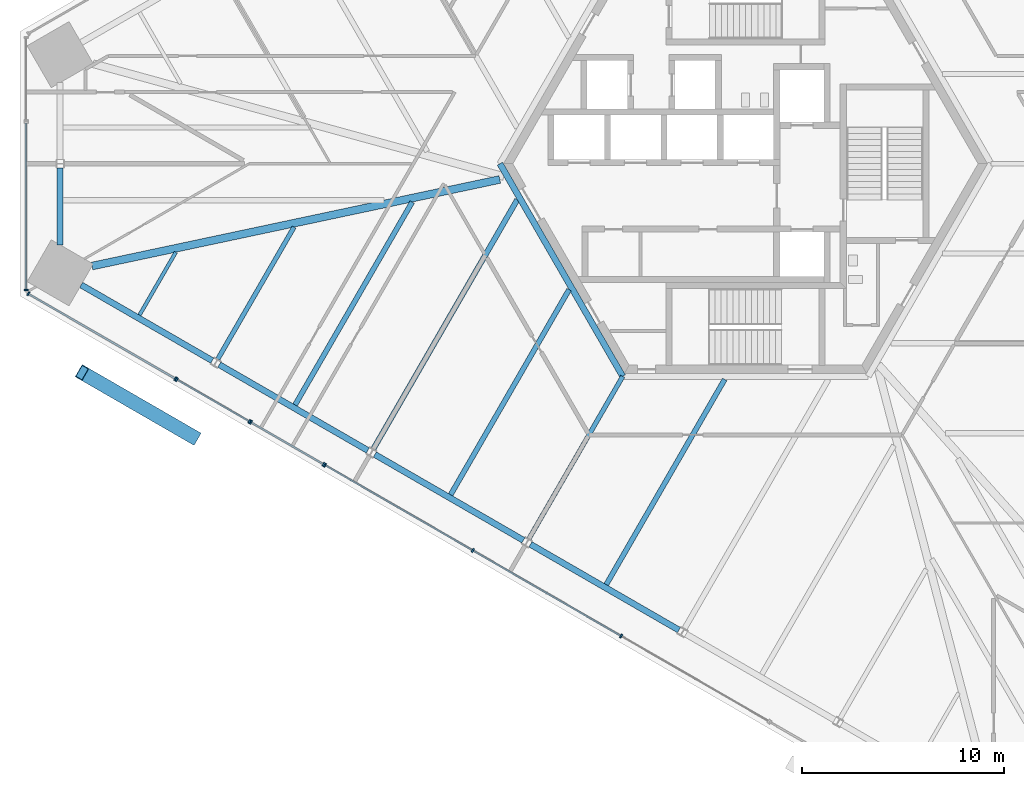
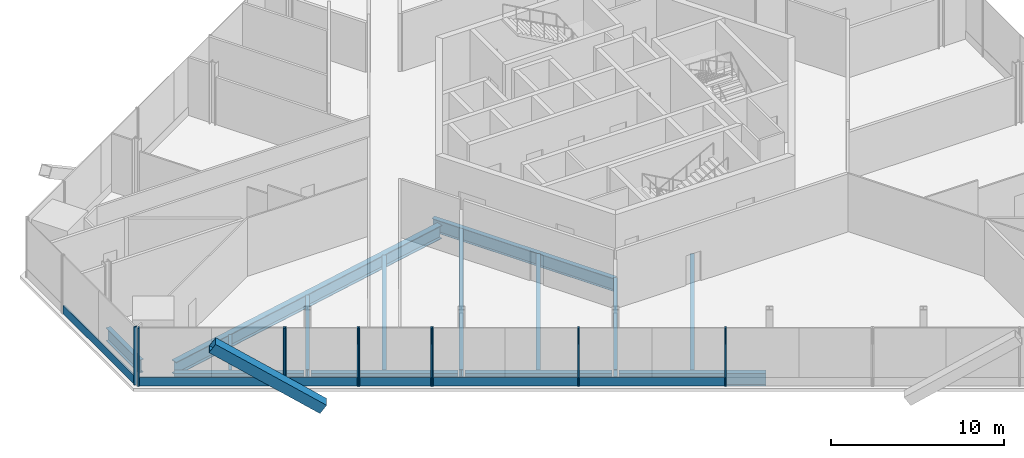
# One storey, part 3 of 17: 17 members, 14 beams, 5 elements without a shape of their own.
"""IFC4 building model written with IfcOpenShell, lengths in metres."""

from ifc_helpers import new_model, si_unit, direction, frame, origin, origin_2d, place, context, subcontext, project, spatial, rectangle, hollow_rectangle, i_section, extrude, source, transform, mapped, material, material_profile, profile_set, type_object, element, aggregate, save


model = new_model("IFC4")

# Units and contexts
model_context = context("Model", 3, precision=1e-05, world=origin(), true_north=direction((0.0, 1.0)))
body_context = subcontext(model_context, "Body", "Model", "MODEL_VIEW")
ifc_project = project(units=[si_unit("LENGTHUNIT", "METRE"), si_unit("AREAUNIT", "SQUARE_METRE"), si_unit("VOLUMEUNIT", "CUBIC_METRE"), si_unit("PLANEANGLEUNIT", "RADIAN"), si_unit("MASSUNIT", "GRAM", prefix="KILO")], contexts=[model_context])

# Site, building, storey
site_placement = place(None, origin())
site = spatial("IfcSite", under=ifc_project, at=site_placement, CompositionType="ELEMENT")
building_placement = place(site_placement, origin())
building = spatial("IfcBuilding", under=site, at=building_placement, Name="Triune Harvest Tower", CompositionType="ELEMENT")
storey_placement = place(building_placement, frame((0.0, 0.0, 46.10009765625)))
storey = spatial("IfcBuildingStorey", under=building, at=storey_placement, Name="L10", CompositionType="ELEMENT", Elevation=46.10009765625)

# Curtain wall, member
ifc_material_1 = material(Name="Aluminium bronze anodised", Category="aluminium")
curtain_wall_type_1 = type_object("IfcCurtainWallType", Name="CW-8 Farm floor curtain wall with insulated spandrel infill", PredefinedType="NOTDEFINED", material=ifc_material_1)
curtain_wall_1_placement = place(storey_placement, origin())
curtain_wall_1 = element("IfcCurtainWall", 1, at=curtain_wall_1_placement, inside=storey, type_object=curtain_wall_type_1, Name="CW-8 B1-F5 L10 run 2001")
ifc_material_2 = material(Name="Aluminium bronze anodised", Category="aluminium")
ifc_material_profile_1 = material_profile(ifc_material_2, rectangle(XDim=0.090087890625, YDim=0.60009765625, at=origin_2d()), Name="TR-3 transom 90 x 600")
ifc_profile_set_1 = profile_set([ifc_material_profile_1], Name="Aluminium bronze anodised")
member_type_1 = type_object("IfcMemberType", Name="TR-3 transom 90 x 600", PredefinedType="USERDEFINED", material=ifc_profile_set_1)
member_1_placement = place(storey_placement, frame((-24.49462890625, -12.844970703125, 0.2998046875), z_axis=(0.866007587134, -0.500030858075, 0.0), x_axis=(0.500030858075, 0.866007587134, 0.0)))
member_1 = element("IfcMember", 2, at=member_1_placement, type_object=member_type_1, Name="CW-8 transom B1-F5 2001.1", ObjectType="TRANSOM", PredefinedType="USERDEFINED", context=body_context, shape_type="SweptSolid", body=[
    extrude(rectangle(XDim=0.090087890625, YDim=0.60009765625, at=origin_2d()), origin(), (0.0, 0.0, 1.0), 4.088623046875),
])

# Beams
ifc_material_3 = material(Name="Steel ASTM A992 Gr 50", Category="steel")
ifc_material_profile_2 = material_profile(ifc_material_3, i_section(OverallWidth=0.3046875, OverallDepth=0.914306640625, WebThickness=0.0166015625, FlangeThickness=0.02587890625, at=origin_2d()), Name="W36x160")
ifc_profile_set_2 = profile_set([ifc_material_profile_2], Name="Steel ASTM A992 Gr 50")
beam_type_1 = type_object("IfcBeamType", Name="CG-1 Core ring girder W36x160", PredefinedType="BEAM", material=ifc_profile_set_2)
shared_shape_1 = source(origin(), body_context, "Body", "SweptSolid", [
    extrude(i_section(OverallWidth=0.3046875, OverallDepth=0.914306640625, WebThickness=0.0166015625, FlangeThickness=0.02587890625, at=origin_2d()), origin(), (0.0, 0.0, 1.0), 12.176025390625),
])
beam_1_placement = place(storey_placement, frame((-12.176025390625, 0.0, -0.6572265625), z_axis=(0.5000099932, -0.866019634131, 0.0), x_axis=(0.866019634131, 0.5000099932, 0.0)))
element("IfcBeam", 3, at=beam_1_placement, inside=storey, type_object=beam_type_1, Name="beam/L10/CG4", PredefinedType="BEAM", context=body_context, shape_type="MappedRepresentation", body=[
    mapped(shared_shape_1, transform((0.0, 0.0, 0.0), scale=1.0)),
])
ifc_material_4 = material(Name="Steel ASTM A992 Gr 50", Category="steel")
ifc_material_profile_3 = material_profile(ifc_material_4, i_section(OverallWidth=0.383544921875, OverallDepth=0.9423828125, WebThickness=0.022216796875, FlangeThickness=0.039794921875, at=origin_2d()), Name="W36x232")
ifc_profile_set_3 = profile_set([ifc_material_profile_3], Name="Steel ASTM A992 Gr 50")
beam_type_2 = type_object("IfcBeamType", Name="HG-1 Hip girder W36x232", PredefinedType="BEAM", material=ifc_profile_set_3)
shared_shape_2 = source(origin(), body_context, "Body", "SweptSolid", [
    extrude(i_section(OverallWidth=0.383544921875, OverallDepth=0.9423828125, WebThickness=0.022216796875, FlangeThickness=0.039794921875, at=origin_2d()), origin(), (0.0, 0.0, 1.0), 20.676025390625),
])
beam_2_placement = place(storey_placement, frame((-32.4091796875, -5.07470703125, -0.67138671875), z_axis=(0.978185071399, 0.207735327022, 0.0), x_axis=(-0.207735327022, 0.978185071399, 0.0)))
element("IfcBeam", 4, at=beam_2_placement, inside=storey, type_object=beam_type_2, Name="beam/L10/HG5", PredefinedType="BEAM", context=body_context, shape_type="MappedRepresentation", body=[
    mapped(shared_shape_2, transform((0.0, 0.0, 0.0), scale=1.0)),
])
ifc_material_5 = material(Name="Steel ASTM A992 Gr 50", Category="steel")
ifc_material_profile_4 = material_profile(ifc_material_5, i_section(OverallWidth=0.22900390625, OverallDepth=0.612060546875, WebThickness=0.011962890625, FlangeThickness=0.01953125, at=origin_2d()), Name="W24x84")
ifc_profile_set_4 = profile_set([ifc_material_profile_4], Name="Steel ASTM A992 Gr 50")
beam_type_3 = type_object("IfcBeamType", Name="JT-3 Floor joist W24x84", PredefinedType="JOIST", material=ifc_profile_set_4)
shared_shape_3 = source(origin(), body_context, "Body", "SweptSolid", [
    extrude(i_section(OverallWidth=0.22900390625, OverallDepth=0.612060546875, WebThickness=0.011962890625, FlangeThickness=0.01953125, at=origin_2d()), origin(), (0.0, 0.0, 1.0), 7.558349609375),
])
beam_3_placement = place(storey_placement, frame((-26.170654296875, -9.68896484375, -0.506103515625), z_axis=(0.499991809969, 0.866030132249, 0.0), x_axis=(-0.866030132249, 0.499991809969, 0.0)))
element("IfcBeam", 5, at=beam_3_placement, inside=storey, type_object=beam_type_3, Name="beam/L10/JT28", PredefinedType="JOIST", context=body_context, shape_type="MappedRepresentation", body=[
    mapped(shared_shape_3, transform((0.0, 0.0, 0.0), scale=1.0)),
])
ifc_material_6 = material(Name="Steel ASTM A992 Gr 50", Category="steel")
ifc_material_profile_5 = material_profile(ifc_material_6, i_section(OverallWidth=0.2666015625, OverallDepth=0.7568359375, WebThickness=0.013916015625, FlangeThickness=0.019287109375, at=origin_2d()), Name="W30x108")
ifc_profile_set_5 = profile_set([ifc_material_profile_5], Name="Steel ASTM A992 Gr 50")
beam_type_4 = type_object("IfcBeamType", Name="JT-5 Floor joist W30x108", PredefinedType="JOIST", material=ifc_profile_set_5)
shared_shape_4 = source(origin(), body_context, "Body", "SweptSolid", [
    extrude(i_section(OverallWidth=0.2666015625, OverallDepth=0.7568359375, WebThickness=0.013916015625, FlangeThickness=0.019287109375, at=origin_2d()), origin(), (0.0, 0.0, 1.0), 14.2685546875),
])
beam_4_placement = place(storey_placement, frame((-18.454345703125, -14.14404296875, -0.57861328125), z_axis=(0.499987083308, 0.866032861112, 0.0), x_axis=(-0.866032861112, 0.499987083308, 0.0)))
element("IfcBeam", 6, at=beam_4_placement, inside=storey, type_object=beam_type_4, Name="beam/L10/JT30", PredefinedType="JOIST", context=body_context, shape_type="MappedRepresentation", body=[
    mapped(shared_shape_4, transform((0.0, 0.0, 0.0), scale=1.0)),
])
shared_shape_5 = source(origin(), body_context, "Body", "SweptSolid", [
    extrude(i_section(OverallWidth=0.22900390625, OverallDepth=0.612060546875, WebThickness=0.011962890625, FlangeThickness=0.01953125, at=origin_2d()), origin(), (0.0, 0.0, 1.0), 9.300537109375),
])
beam_5_placement = place(storey_placement, frame((-10.738037109375, -18.59912109375, -0.506103515625), z_axis=(0.49999285859, 0.86602952684, 0.0), x_axis=(-0.86602952684, 0.49999285859, 0.0)))
element("IfcBeam", 7, at=beam_5_placement, inside=storey, type_object=beam_type_3, Name="beam/L10/JT32", PredefinedType="JOIST", context=body_context, shape_type="MappedRepresentation", body=[
    mapped(shared_shape_5, transform((0.0, 0.0, 0.0), scale=1.0)),
])
ifc_material_7 = material(Name="Steel ASTM A992 Gr 50", Category="steel")
ifc_material_profile_6 = material_profile(ifc_material_7, i_section(OverallWidth=0.3046875, OverallDepth=0.914306640625, WebThickness=0.0166015625, FlangeThickness=0.02587890625, at=origin_2d()), Name="W36x160")
ifc_profile_set_6 = profile_set([ifc_material_profile_6], Name="Steel ASTM A992 Gr 50")
beam_type_5 = type_object("IfcBeamType", Name="SB-1 Spandrel beam W36x160", PredefinedType="SPANDREL", material=ifc_profile_set_6)
shared_shape_6 = source(origin(), body_context, "Body", "SweptSolid", [
    extrude(i_section(OverallWidth=0.3046875, OverallDepth=0.914306640625, WebThickness=0.0166015625, FlangeThickness=0.02587890625, at=origin_2d()), origin(), (0.0, 0.0, 1.0), 7.508056640625),
])
beam_6_placement = place(storey_placement, frame((-32.949462890625, -6.010009765625, -0.6572265625), z_axis=(0.866033425553, -0.499986105632, 0.0), x_axis=(0.499986105632, 0.866033425553, 0.0)))
element("IfcBeam", 8, at=beam_6_placement, inside=storey, type_object=beam_type_5, Name="beam/L10/SB17", PredefinedType="SPANDREL", context=body_context, shape_type="MappedRepresentation", body=[
    mapped(shared_shape_6, transform((0.0, 0.0, 0.0), scale=1.0)),
])
shared_shape_7 = source(origin(), body_context, "Body", "SweptSolid", [
    extrude(i_section(OverallWidth=0.3046875, OverallDepth=0.914306640625, WebThickness=0.0166015625, FlangeThickness=0.02587890625, at=origin_2d()), origin(), (0.0, 0.0, 1.0), 8.506103515625),
])
for number, where, z_axis, x_axis, name in (
    (9, (-26.097412109375, -9.966064453125, -0.6572265625), (0.866030246746, -0.49999161165, 0.0), (0.49999161165, 0.866030246746, 0.0), "beam/L10/SB18"),
    (10, (-18.381103515625, -14.4208984375, -0.6572265625), (0.866017818397, -0.500013138047, 0.0), (0.500013138047, 0.866017818397, 0.0), "beam/L10/SB19"),
    (11, (-10.664794921875, -18.8759765625, -0.6572265625), (0.866030246746, -0.49999161165, 0.0), (0.49999161165, 0.866030246746, 0.0), "beam/L10/SB20"),
):
    element("IfcBeam", number, at=place(storey_placement, frame(where, z_axis=z_axis, x_axis=x_axis)), inside=storey, type_object=beam_type_5, Name=name, PredefinedType="SPANDREL", context=body_context, shape_type="MappedRepresentation", body=[
        mapped(shared_shape_7, transform((0.0, 0.0, 0.0), scale=1.0)),
    ])
shared_shape_8 = source(origin(), body_context, "Body", "SweptSolid", [
    extrude(i_section(OverallWidth=0.3046875, OverallDepth=0.914306640625, WebThickness=0.0166015625, FlangeThickness=0.02587890625, at=origin_2d()), origin(), (0.0, 0.0, 1.0), 3.822509765625),
])
beam_7_placement = place(storey_placement, frame((-33.988525390625, -0.201904296875, -0.6572265625), z_axis=(0.0, -1.0, 0.0), x_axis=(1.0, 0.0, 0.0)))
element("IfcBeam", 12, at=beam_7_placement, inside=storey, type_object=beam_type_5, Name="beam/L10/SB16", PredefinedType="SPANDREL", context=body_context, shape_type="MappedRepresentation", body=[
    mapped(shared_shape_8, transform((0.0, 0.0, 0.0), scale=1.0)),
])
ifc_material_8 = material(Name="Steel ASTM A992 Gr 50", Category="steel")
ifc_material_profile_7 = material_profile(ifc_material_8, i_section(OverallWidth=0.253662109375, OverallDepth=0.683349609375, WebThickness=0.012451171875, FlangeThickness=0.01904296875, at=origin_2d()), Name="W27x94")
ifc_profile_set_7 = profile_set([ifc_material_profile_7], Name="Steel ASTM A992 Gr 50")
beam_type_6 = type_object("IfcBeamType", Name="JT-4 Floor joist W27x94", PredefinedType="JOIST", material=ifc_profile_set_7)
shared_shape_9 = source(origin(), body_context, "Body", "SweptSolid", [
    extrude(i_section(OverallWidth=0.253662109375, OverallDepth=0.683349609375, WebThickness=0.012451171875, FlangeThickness=0.01904296875, at=origin_2d()), origin(), (0.0, 0.0, 1.0), 11.618896484375),
])
beam_8_placement = place(storey_placement, frame((-22.337890625, -11.96044921875, -0.541748046875), z_axis=(0.500008015982, 0.866020775706, 0.0), x_axis=(-0.866020775706, 0.500008015982, 0.0)))
element("IfcBeam", 13, at=beam_8_placement, inside=storey, type_object=beam_type_6, Name="beam/L10/JT29", PredefinedType="JOIST", context=body_context, shape_type="MappedRepresentation", body=[
    mapped(shared_shape_9, transform((0.0, 0.0, 0.0), scale=1.0)),
])
shared_shape_10 = source(origin(), body_context, "Body", "SweptSolid", [
    extrude(i_section(OverallWidth=0.253662109375, OverallDepth=0.683349609375, WebThickness=0.012451171875, FlangeThickness=0.01904296875, at=origin_2d()), origin(), (0.0, 0.0, 1.0), 11.74755859375),
])
beam_9_placement = place(storey_placement, frame((-6.905517578125, -20.87060546875, -0.541748046875), z_axis=(0.500003693016, 0.86602327161, 0.0), x_axis=(-0.86602327161, 0.500003693016, 0.0)))
element("IfcBeam", 14, at=beam_9_placement, inside=storey, type_object=beam_type_6, Name="beam/L10/JT33", PredefinedType="JOIST", context=body_context, shape_type="MappedRepresentation", body=[
    mapped(shared_shape_10, transform((0.0, 0.0, 0.0), scale=1.0)),
])
shared_shape_11 = source(origin(), body_context, "Body", "SweptSolid", [
    extrude(i_section(OverallWidth=0.253662109375, OverallDepth=0.683349609375, WebThickness=0.012451171875, FlangeThickness=0.01904296875, at=origin_2d()), origin(), (0.0, 0.0, 1.0), 11.7470703125),
])
beam_10_placement = place(storey_placement, frame((-14.62158203125, -16.41552734375, -0.541748046875), z_axis=(0.49999710518, 0.866027075103, 0.0), x_axis=(-0.866027075103, 0.49999710518, 0.0)))
element("IfcBeam", 15, at=beam_10_placement, inside=storey, type_object=beam_type_6, Name="beam/L10/JT31", PredefinedType="JOIST", context=body_context, shape_type="MappedRepresentation", body=[
    mapped(shared_shape_11, transform((0.0, 0.0, 0.0), scale=1.0)),
])
ifc_material_9 = material(Name="Steel ASTM A992 Gr 50", Category="steel")
ifc_material_profile_8 = material_profile(ifc_material_9, i_section(OverallWidth=0.180908203125, OverallDepth=0.41650390625, WebThickness=0.010986328125, FlangeThickness=0.01806640625, at=origin_2d()), Name="W16x57")
ifc_profile_set_8 = profile_set([ifc_material_profile_8], Name="Steel ASTM A992 Gr 50")
beam_type_7 = type_object("IfcBeamType", Name="JT-1 Floor joist W16x57", PredefinedType="JOIST", material=ifc_profile_set_8)
shared_shape_12 = source(origin(), body_context, "Body", "SweptSolid", [
    extrude(i_section(OverallWidth=0.180908203125, OverallDepth=0.41650390625, WebThickness=0.010986328125, FlangeThickness=0.01806640625, at=origin_2d()), origin(), (0.0, 0.0, 1.0), 3.599609375),
])
beam_11_placement = place(storey_placement, frame((-30.05419921875, -7.505615234375, -0.408447265625), z_axis=(0.499990559667, 0.866030854095, 0.0), x_axis=(-0.866030854095, 0.499990559667, 0.0)))
element("IfcBeam", 16, at=beam_11_placement, inside=storey, type_object=beam_type_7, Name="beam/L10/JT27", PredefinedType="JOIST", context=body_context, shape_type="MappedRepresentation", body=[
    mapped(shared_shape_12, transform((0.0, 0.0, 0.0), scale=1.0)),
])

# Member
ifc_material_10 = material(Name="Steel ASTM A572 Gr 50", Category="steel")
ifc_material_profile_9 = material_profile(ifc_material_10, hollow_rectangle(XDim=0.699951171875, YDim=0.699951171875, WallThickness=0.0400390625, at=origin_2d()), Name="Box 700x700x40")
ifc_profile_set_9 = profile_set([ifc_material_profile_9], Name="Steel ASTM A572 Gr 50")
member_type_2 = type_object("IfcMemberType", Name="BR-1 Brace Box 700x700x40", PredefinedType="BRACE", material=ifc_profile_set_9)
shared_shape_13 = source(origin(), body_context, "Body", "SweptSolid", [
    extrude(hollow_rectangle(XDim=0.699951171875, YDim=0.699951171875, WallThickness=0.0400390625, at=origin_2d()), origin(), (0.0, 0.0, 1.0), 7.728271484375),
])
member_2_placement = place(storey_placement, frame((-27.341064453125, -13.568603515625, 0.0), z_axis=(-0.719626109085, 0.415443501342, 0.556367648516), x_axis=(-0.499970370671, -0.86604250961, 0.0)))
element("IfcMember", 17, at=member_2_placement, inside=storey, type_object=member_type_2, Name="brace/B1-F5/d2/8", PredefinedType="BRACE", context=body_context, shape_type="MappedRepresentation", body=[
    mapped(shared_shape_13, transform((0.0, 0.0, 0.0), scale=1.0)),
])

# Curtain wall, member
curtain_wall_2_placement = place(storey_placement, origin())
curtain_wall_2 = element("IfcCurtainWall", 18, at=curtain_wall_2_placement, inside=storey, type_object=curtain_wall_type_1, Name="CW-8 B1-F4 L10 run 1001")
ifc_material_11 = material(Name="Aluminium bronze anodised", Category="aluminium")
ifc_material_profile_10 = material_profile(ifc_material_11, rectangle(XDim=0.199951171875, YDim=0.080078125, at=origin_2d()), Name="MU-3 mullion 80 x 200")
ifc_profile_set_10 = profile_set([ifc_material_profile_10], Name="Aluminium bronze anodised")
member_type_3 = type_object("IfcMemberType", Name="MU-3 mullion 80 x 200", PredefinedType="MULLION", material=ifc_profile_set_10)
shared_shape_14 = source(origin(), body_context, "Body", "SweptSolid", [
    extrude(rectangle(XDim=0.199951171875, YDim=0.080078125, at=origin_2d()), origin(), (0.0, 0.0, 1.0), 4.099853515625),
])
member_3_placement = place(storey_placement, frame((-35.680419921875, -6.2568359375, 0.0), z_axis=(0.0, 0.0, 1.0), x_axis=(1.0, 0.0, 0.0)))
member_3 = element("IfcMember", 19, at=member_3_placement, type_object=member_type_3, Name="CW-8 mullion B1-F4 1001.3", PredefinedType="MULLION", context=body_context, shape_type="MappedRepresentation", body=[
    mapped(shared_shape_14, transform((0.0, 0.0, 0.0), scale=1.0)),
])

# Curtain wall, members
curtain_wall_3_placement = place(storey_placement, origin())
curtain_wall_3 = element("IfcCurtainWall", 20, at=curtain_wall_3_placement, inside=storey, type_object=curtain_wall_type_1, Name="CW-8 B1-F5 L10 run 1")
member_4_placement = place(storey_placement, frame((-35.56787109375, -6.451904296875, 0.0), z_axis=(0.0, 0.0, 1.0), x_axis=(0.499995239328, 0.866028152342, 0.0)))
member_4 = element("IfcMember", 21, at=member_4_placement, type_object=member_type_3, Name="CW-8 mullion B1-F5 1.1", PredefinedType="MULLION", context=body_context, shape_type="MappedRepresentation", body=[
    mapped(shared_shape_14, transform((0.0, 0.0, 0.0), scale=1.0)),
])
member_5_placement = place(storey_placement, frame((-28.278076171875, -10.660400390625, 0.0), z_axis=(0.0, 0.0, 1.0), x_axis=(0.499995239328, 0.866028152342, 0.0)))
member_5 = element("IfcMember", 22, at=member_5_placement, type_object=member_type_3, Name="CW-8 mullion B1-F5 1.3", PredefinedType="MULLION", context=body_context, shape_type="MappedRepresentation", body=[
    mapped(shared_shape_14, transform((0.0, 0.0, 0.0), scale=1.0)),
])

ifc_material_12 = material(Name="Aluminium bronze anodised", Category="aluminium")
curtain_wall_type_2 = type_object("IfcCurtainWallType", Name="CW-3 Farm floor curtain wall", PredefinedType="NOTDEFINED", material=ifc_material_12)
curtain_wall_4_placement = place(storey_placement, origin())
curtain_wall_4 = element("IfcCurtainWall", 23, at=curtain_wall_4_placement, inside=storey, type_object=curtain_wall_type_2, Name="CW-3 B1-F5 L10 run 1001")
member_6_placement = place(storey_placement, frame((-28.208740234375, -10.700439453125, 0.0), z_axis=(0.0, 0.0, 1.0), x_axis=(0.500007005209, 0.866021359287, 0.0)))
member_6 = element("IfcMember", 24, at=member_6_placement, type_object=member_type_3, Name="CW-3 mullion B1-F5 1001.1", PredefinedType="MULLION", context=body_context, shape_type="MappedRepresentation", body=[
    mapped(shared_shape_14, transform((0.0, 0.0, 0.0), scale=1.0)),
])
member_7_placement = place(storey_placement, frame((-24.5986328125, -12.784912109375, 0.0), z_axis=(0.0, 0.0, 1.0), x_axis=(0.500007005209, 0.866021359287, 0.0)))
member_7 = element("IfcMember", 25, at=member_7_placement, type_object=member_type_3, Name="CW-3 mullion B1-F5 1001.2", PredefinedType="MULLION", context=body_context, shape_type="MappedRepresentation", body=[
    mapped(shared_shape_14, transform((0.0, 0.0, 0.0), scale=1.0)),
])

# Member
member_8_placement = place(storey_placement, frame((-24.529296875, -12.824951171875, 0.0), z_axis=(0.0, 0.0, 1.0), x_axis=(0.500007005209, 0.866021359287, 0.0)))
member_8 = element("IfcMember", 26, at=member_8_placement, type_object=member_type_3, Name="CW-8 mullion B1-F5 2001.1", PredefinedType="MULLION", context=body_context, shape_type="MappedRepresentation", body=[
    mapped(shared_shape_14, transform((0.0, 0.0, 0.0), scale=1.0)),
])

member_9_placement = place(storey_placement, frame((-20.919189453125, -14.9091796875, 0.0), z_axis=(0.0, 0.0, 1.0), x_axis=(0.500007005209, 0.866021359287, 0.0)))
member_9 = element("IfcMember", 27, at=member_9_placement, type_object=member_type_3, Name="CW-8 mullion B1-F5 2001.2", PredefinedType="MULLION", context=body_context, shape_type="MappedRepresentation", body=[
    mapped(shared_shape_14, transform((0.0, 0.0, 0.0), scale=1.0)),
])

aggregate(curtain_wall_1, [member_8, member_9, member_1])

# Curtain wall, members
curtain_wall_5_placement = place(storey_placement, origin())
curtain_wall_5 = element("IfcCurtainWall", 28, at=curtain_wall_5_placement, inside=storey, type_object=curtain_wall_type_2, Name="CW-3 B1-F5 L10 run 3001")
member_10_placement = place(storey_placement, frame((-20.849853515625, -14.94921875, 0.0), z_axis=(0.0, 0.0, 1.0), x_axis=(0.499999422532, 0.866025737186, 0.0)))
member_10 = element("IfcMember", 29, at=member_10_placement, type_object=member_type_3, Name="CW-3 mullion B1-F5 3001.1", PredefinedType="MULLION", context=body_context, shape_type="MappedRepresentation", body=[
    mapped(shared_shape_14, transform((0.0, 0.0, 0.0), scale=1.0)),
])
member_11_placement = place(storey_placement, frame((-13.525390625, -19.177978515625, 0.0), z_axis=(0.0, 0.0, 1.0), x_axis=(0.499999422532, 0.866025737186, 0.0)))
member_11 = element("IfcMember", 30, at=member_11_placement, type_object=member_type_3, Name="CW-3 mullion B1-F5 3001.3", PredefinedType="MULLION", context=body_context, shape_type="MappedRepresentation", body=[
    mapped(shared_shape_14, transform((0.0, 0.0, 0.0), scale=1.0)),
])
member_12_placement = place(storey_placement, frame((-6.16650390625, -23.4267578125, 0.0), z_axis=(0.0, 0.0, 1.0), x_axis=(0.499999422532, 0.866025737186, 0.0)))
member_12 = element("IfcMember", 31, at=member_12_placement, type_object=member_type_3, Name="CW-3 mullion B1-F5 3001.5", PredefinedType="MULLION", context=body_context, shape_type="MappedRepresentation", body=[
    mapped(shared_shape_14, transform((0.0, 0.0, 0.0), scale=1.0)),
])
shared_shape_15 = source(origin(), body_context, "Body", "SweptSolid", [
    extrude(rectangle(XDim=0.090087890625, YDim=0.60009765625, at=origin_2d()), origin(), (0.0, 0.0, 1.0), 8.37744140625),
])
member_13_placement = place(storey_placement, frame((-20.815185546875, -14.96923828125, 0.2998046875), z_axis=(0.866026892193, -0.499997421992, 0.0), x_axis=(0.499997421992, 0.866026892193, 0.0)))
member_13 = element("IfcMember", 32, at=member_13_placement, type_object=member_type_1, Name="CW-3 transom B1-F5 3001.1", ObjectType="TRANSOM", PredefinedType="USERDEFINED", context=body_context, shape_type="MappedRepresentation", body=[
    mapped(shared_shape_15, transform((0.0, 0.0, 0.0), scale=1.0)),
])
shared_shape_16 = source(origin(), body_context, "Body", "SweptSolid", [
    extrude(rectangle(XDim=0.090087890625, YDim=0.60009765625, at=origin_2d()), origin(), (0.0, 0.0, 1.0), 8.417236328125),
])
member_14_placement = place(storey_placement, frame((-13.49072265625, -19.197998046875, 0.2998046875), z_axis=(0.866019429705, -0.500010347266, 0.0), x_axis=(0.500010347266, 0.866019429705, 0.0)))
member_14 = element("IfcMember", 33, at=member_14_placement, type_object=member_type_1, Name="CW-3 transom B1-F5 3001.2", ObjectType="TRANSOM", PredefinedType="USERDEFINED", context=body_context, shape_type="MappedRepresentation", body=[
    mapped(shared_shape_16, transform((0.0, 0.0, 0.0), scale=1.0)),
])
aggregate(curtain_wall_5, [member_10, member_11, member_12, member_13, member_14])

# Member
shared_shape_17 = source(origin(), body_context, "Body", "SweptSolid", [
    extrude(rectangle(XDim=0.090087890625, YDim=0.60009765625, at=origin_2d()), origin(), (0.0, 0.0, 1.0), 8.33740234375),
])
member_15_placement = place(storey_placement, frame((-35.533203125, -6.4716796875, 0.2998046875), z_axis=(0.866027105532, -0.499997052475, 0.0), x_axis=(0.499997052475, 0.866027105532, 0.0)))
member_15 = element("IfcMember", 34, at=member_15_placement, type_object=member_type_1, Name="CW-8 transom B1-F5 1.1", ObjectType="TRANSOM", PredefinedType="USERDEFINED", context=body_context, shape_type="MappedRepresentation", body=[
    mapped(shared_shape_17, transform((0.0, 0.0, 0.0), scale=1.0)),
])

aggregate(curtain_wall_3, [member_4, member_5, member_15])

shared_shape_18 = source(origin(), body_context, "Body", "SweptSolid", [
    extrude(rectangle(XDim=0.090087890625, YDim=0.60009765625, at=origin_2d()), origin(), (0.0, 0.0, 1.0), 4.0888671875),
])
member_16_placement = place(storey_placement, frame((-28.17431640625, -10.720458984375, 0.2998046875), z_axis=(0.866022515895, -0.500005001938, 0.0), x_axis=(0.500005001938, 0.866022515895, 0.0)))
member_16 = element("IfcMember", 35, at=member_16_placement, type_object=member_type_1, Name="CW-3 transom B1-F5 1001.1", ObjectType="TRANSOM", PredefinedType="USERDEFINED", context=body_context, shape_type="MappedRepresentation", body=[
    mapped(shared_shape_18, transform((0.0, 0.0, 0.0), scale=1.0)),
])

aggregate(curtain_wall_4, [member_6, member_7, member_16])

shared_shape_19 = source(origin(), body_context, "Body", "SweptSolid", [
    extrude(rectangle(XDim=0.090087890625, YDim=0.60009765625, at=origin_2d()), origin(), (0.0, 0.0, 1.0), 8.235595703125),
])
member_17_placement = place(storey_placement, frame((-35.680419921875, 2.018798828125, 0.2998046875), z_axis=(0.0, -1.0, 0.0), x_axis=(1.0, 0.0, 0.0)))
member_17 = element("IfcMember", 36, at=member_17_placement, type_object=member_type_1, Name="CW-8 transom B1-F4 1001.1", ObjectType="TRANSOM", PredefinedType="USERDEFINED", context=body_context, shape_type="MappedRepresentation", body=[
    mapped(shared_shape_19, transform((0.0, 0.0, 0.0), scale=1.0)),
])

aggregate(curtain_wall_2, [member_3, member_17])

save(model, "model.ifc")
